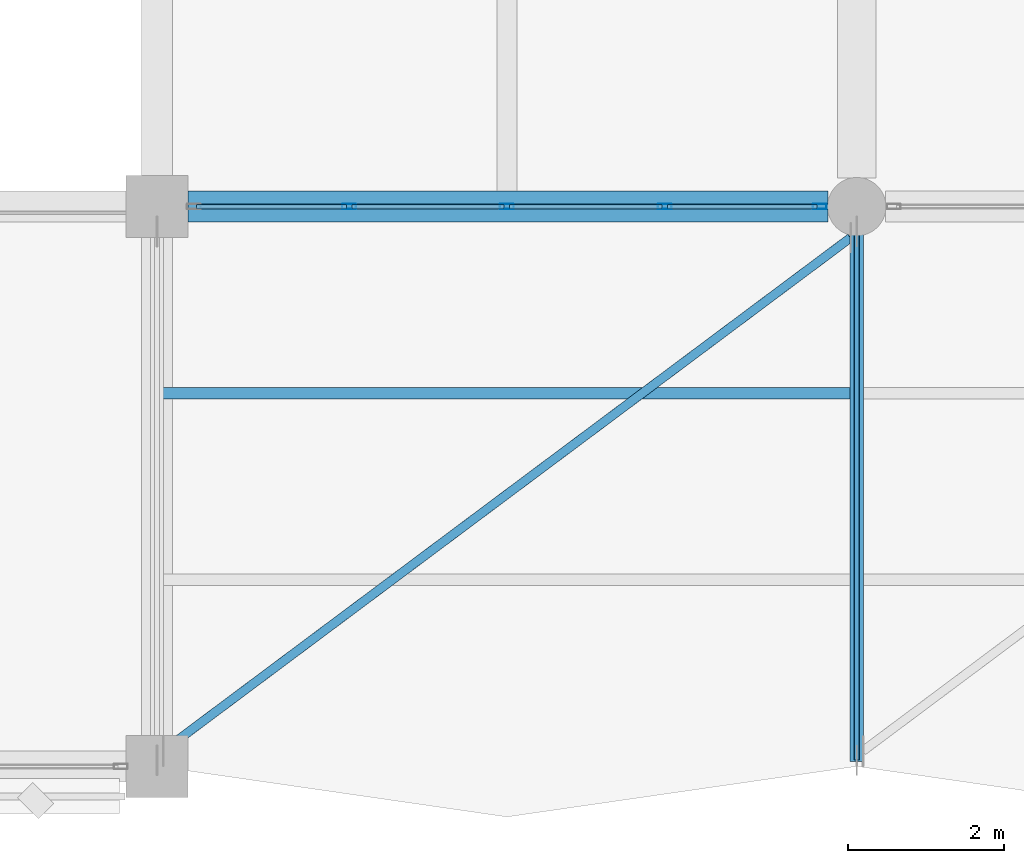
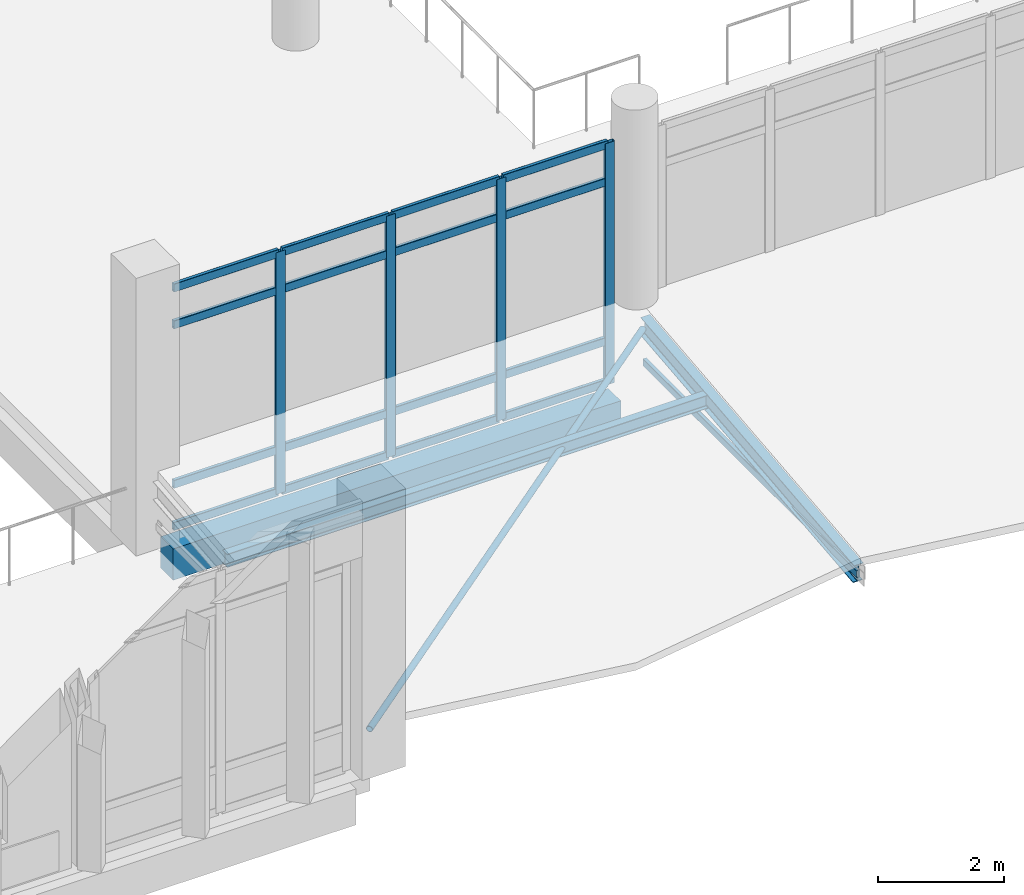
# One storey, part 34 of 180: 22 members, 3 beams, 1 element without a shape of its own.
"""IFC4 building model written with IfcOpenShell, lengths in metres."""

from ifc_helpers import new_model, si_unit, direction, frame, origin, origin_2d, place, context, subcontext, project, spatial, rectangle, hollow_rectangle, hollow_circle, i_section, extrude, material, material_profile, profile_set, type_object, element, aggregate, save


model = new_model("IFC4")

# Units and contexts
model_context = context("Model", 3, precision=1e-05, world=origin(), true_north=direction((0.0, 1.0)))
body_context = subcontext(model_context, "Body", "Model", "MODEL_VIEW")
ifc_project = project(units=[si_unit("LENGTHUNIT", "METRE"), si_unit("AREAUNIT", "SQUARE_METRE"), si_unit("VOLUMEUNIT", "CUBIC_METRE"), si_unit("PLANEANGLEUNIT", "RADIAN"), si_unit("MASSUNIT", "GRAM", prefix="KILO")], contexts=[model_context])

# Site, building, storey
site_placement = place(None, origin())
site = spatial("IfcSite", under=ifc_project, at=site_placement, CompositionType="ELEMENT")
building_placement = place(site_placement, origin())
building = spatial("IfcBuilding", under=site, at=building_placement, Name="Lusvemor Sports Hall", CompositionType="ELEMENT")
storey_placement = place(building_placement, frame((0.0, 0.0, 5.39990234375)))
storey = spatial("IfcBuildingStorey", under=building, at=storey_placement, Name="L01", CompositionType="ELEMENT", Elevation=5.39990234375)

# Beam
ifc_material_1 = material(Name="Steel S355", Category="steel")
ifc_material_profile_1 = material_profile(ifc_material_1, i_section(OverallWidth=0.1708984375, OverallDepth=0.35498046875, WebThickness=0.007080078125, FlangeThickness=0.01171875, FilletRadius=0.014892578125, at=origin_2d()), Name="W360x51.0")
ifc_profile_set_1 = profile_set([ifc_material_profile_1], Name="Steel S355")
beam_type_1 = type_object("IfcBeamType", Name="BEAM_ST_360", PredefinedType="BEAM", material=ifc_profile_set_1)
beam_1_placement = place(storey_placement, frame((84.60009765625, 0.080078125, 0.461181640625), z_axis=(0.0, 0.99461932884, 0.103597252368), x_axis=(-1.0, 0.0, 0.0)))
element("IfcBeam", 1, at=beam_1_placement, inside=storey, type_object=beam_type_1, Name="Boulevard Canopy Rafter 9", PredefinedType="BEAM", context=body_context, shape_type="SweptSolid", body=[
    extrude(i_section(OverallWidth=0.1708984375, OverallDepth=0.35498046875, WebThickness=0.007080078125, FlangeThickness=0.01171875, FilletRadius=0.014892578125, at=origin_2d()), origin(), (0.0, 0.0, 1.0), 6.836669921875),
])

# Member
ifc_material_2 = material(Name="Steel S355", Category="steel")
ifc_material_profile_2 = material_profile(ifc_material_2, hollow_circle(Radius=0.05712890625, WallThickness=0.00634765625, at=origin_2d()), Name="CHS114.3x6.3")
ifc_profile_set_2 = profile_set([ifc_material_profile_2], Name="Steel S355")
member_type_1 = type_object("IfcMemberType", Name="BRACE_CANOPY_114", PredefinedType="BRACE", material=ifc_profile_set_2)
member_1_placement = place(storey_placement, frame((75.679931640625, 0.199951171875, 0.4736328125), z_axis=(0.799750589505, 0.597101754721, 0.062197179156), x_axis=(-0.59826005728, 0.801302005403, 0.0)))
element("IfcMember", 2, at=member_1_placement, inside=storey, type_object=member_type_1, Name="Canopy Wind Brace 8", PredefinedType="BRACE", context=body_context, shape_type="SweptSolid", body=[
    extrude(hollow_circle(Radius=0.05712890625, WallThickness=0.00634765625, at=origin_2d()), origin(), (0.0, 0.0, 1.0), 11.053466796875),
])

# Curtain wall, members
ifc_material_3 = material(Name="Thermally broken bronze-anodized aluminium", Category="aluminium")
curtain_wall_type = type_object("IfcCurtainWallType", Name="CW_FOYER_A", PredefinedType="NOTDEFINED", material=ifc_material_3)
curtain_wall_placement = place(storey_placement, origin())
curtain_wall = element("IfcCurtainWall", 3, at=curtain_wall_placement, inside=storey, type_object=curtain_wall_type, Name="Curtain Wall CW-V4S-L01-0", PredefinedType="NOTDEFINED")
ifc_material_4 = material(Name="Thermally broken bronze-anodized aluminium", Category="aluminium")
ifc_material_profile_3 = material_profile(ifc_material_4, hollow_rectangle(XDim=0.070068359375, YDim=0.179931640625, WallThickness=0.0048828125, InnerFilletRadius=0.0048828125, OuterFilletRadius=0.010009765625, at=origin_2d()), Name="CWMUL180x70x5")
ifc_profile_set_3 = profile_set([ifc_material_profile_3], Name="Thermally broken bronze-anodized aluminium")
member_type_2 = type_object("IfcMemberType", Name="CW_MUL_A", PredefinedType="MULLION", material=ifc_profile_set_3)
member_2_placement = place(storey_placement, frame((84.125, 7.199951171875, 0.0), z_axis=(0.0, 0.0, 1.0), x_axis=(0.0, -1.0, 0.0)))
member_2 = element("IfcMember", 4, at=member_2_placement, type_object=member_type_2, Name="CW01 mullion 1", PredefinedType="MULLION", context=body_context, shape_type="SweptSolid", body=[
    extrude(hollow_rectangle(XDim=0.070068359375, YDim=0.179931640625, WallThickness=0.0048828125, InnerFilletRadius=0.0048828125, OuterFilletRadius=0.010009765625, at=origin_2d()), origin(), (0.0, 0.0, 1.0), 4.7001953125),
])
member_3_placement = place(storey_placement, frame((82.1298828125, 7.199951171875, 0.0), z_axis=(0.0, 0.0, 1.0), x_axis=(0.0, -1.0, 0.0)))
member_3 = element("IfcMember", 5, at=member_3_placement, type_object=member_type_2, Name="CW01 mullion 2", PredefinedType="MULLION", context=body_context, shape_type="SweptSolid", body=[
    extrude(hollow_rectangle(XDim=0.070068359375, YDim=0.179931640625, WallThickness=0.0048828125, InnerFilletRadius=0.0048828125, OuterFilletRadius=0.010009765625, at=origin_2d()), origin(), (0.0, 0.0, 1.0), 4.7001953125),
])
member_4_placement = place(storey_placement, frame((80.10009765625, 7.199951171875, 0.0), z_axis=(0.0, 0.0, 1.0), x_axis=(0.0, -1.0, 0.0)))
member_4 = element("IfcMember", 6, at=member_4_placement, type_object=member_type_2, Name="CW01 mullion 3", PredefinedType="MULLION", context=body_context, shape_type="SweptSolid", body=[
    extrude(hollow_rectangle(XDim=0.070068359375, YDim=0.179931640625, WallThickness=0.0048828125, InnerFilletRadius=0.0048828125, OuterFilletRadius=0.010009765625, at=origin_2d()), origin(), (0.0, 0.0, 1.0), 4.7001953125),
])
member_5_placement = place(storey_placement, frame((78.070068359375, 7.199951171875, 0.0), z_axis=(0.0, 0.0, 1.0), x_axis=(0.0, -1.0, 0.0)))
member_5 = element("IfcMember", 7, at=member_5_placement, type_object=member_type_2, Name="CW01 mullion 4", PredefinedType="MULLION", context=body_context, shape_type="SweptSolid", body=[
    extrude(hollow_rectangle(XDim=0.070068359375, YDim=0.179931640625, WallThickness=0.0048828125, InnerFilletRadius=0.0048828125, OuterFilletRadius=0.010009765625, at=origin_2d()), origin(), (0.0, 0.0, 1.0), 4.7001953125),
])
ifc_material_5 = material(Name="Thermally broken bronze-anodized aluminium", Category="aluminium")
ifc_material_profile_4 = material_profile(ifc_material_5, hollow_rectangle(XDim=0.06494140625, YDim=0.159912109375, WallThickness=0.00390625, InnerFilletRadius=0.00390625, OuterFilletRadius=0.008056640625, at=origin_2d()), Name="CWTRN160x65x4")
ifc_profile_set_4 = profile_set([ifc_material_profile_4], Name="Thermally broken bronze-anodized aluminium")
member_type_3 = type_object("IfcMemberType", Name="CW_TRN_A", PredefinedType="USERDEFINED", material=ifc_profile_set_4)
member_6_placement = place(storey_placement, frame((84.090087890625, 7.199951171875, 0.03271484375), z_axis=(-1.0, 0.0, 0.0), x_axis=(0.0, -1.0, 0.0)))
member_6 = element("IfcMember", 8, at=member_6_placement, type_object=member_type_3, Name="CW01 transom 1.1", ObjectType="TRANSOM", PredefinedType="USERDEFINED", context=body_context, shape_type="SweptSolid", body=[
    extrude(hollow_rectangle(XDim=0.06494140625, YDim=0.159912109375, WallThickness=0.00390625, InnerFilletRadius=0.00390625, OuterFilletRadius=0.008056640625, at=origin_2d()), origin(), (0.0, 0.0, 1.0), 1.925048828125),
])
member_7_placement = place(storey_placement, frame((84.090087890625, 7.199951171875, 0.85009765625), z_axis=(-1.0, 0.0, 0.0), x_axis=(0.0, -1.0, 0.0)))
member_7 = element("IfcMember", 9, at=member_7_placement, type_object=member_type_3, Name="CW01 transom 1.2", ObjectType="TRANSOM", PredefinedType="USERDEFINED", context=body_context, shape_type="SweptSolid", body=[
    extrude(hollow_rectangle(XDim=0.06494140625, YDim=0.159912109375, WallThickness=0.00390625, InnerFilletRadius=0.00390625, OuterFilletRadius=0.008056640625, at=origin_2d()), origin(), (0.0, 0.0, 1.0), 1.925048828125),
])
member_8_placement = place(storey_placement, frame((84.090087890625, 7.199951171875, 3.9501953125), z_axis=(-1.0, 0.0, 0.0), x_axis=(0.0, -1.0, 0.0)))
member_8 = element("IfcMember", 10, at=member_8_placement, type_object=member_type_3, Name="CW01 transom 1.3", ObjectType="TRANSOM", PredefinedType="USERDEFINED", context=body_context, shape_type="SweptSolid", body=[
    extrude(hollow_rectangle(XDim=0.06494140625, YDim=0.159912109375, WallThickness=0.00390625, InnerFilletRadius=0.00390625, OuterFilletRadius=0.008056640625, at=origin_2d()), origin(), (0.0, 0.0, 1.0), 1.925048828125),
])
member_9_placement = place(storey_placement, frame((84.090087890625, 7.199951171875, 4.66748046875), z_axis=(-1.0, 0.0, 0.0), x_axis=(0.0, -1.0, 0.0)))
member_9 = element("IfcMember", 11, at=member_9_placement, type_object=member_type_3, Name="CW01 transom 1.4", ObjectType="TRANSOM", PredefinedType="USERDEFINED", context=body_context, shape_type="SweptSolid", body=[
    extrude(hollow_rectangle(XDim=0.06494140625, YDim=0.159912109375, WallThickness=0.00390625, InnerFilletRadius=0.00390625, OuterFilletRadius=0.008056640625, at=origin_2d()), origin(), (0.0, 0.0, 1.0), 1.925048828125),
])
member_10_placement = place(storey_placement, frame((82.094970703125, 7.199951171875, 0.03271484375), z_axis=(-1.0, 0.0, 0.0), x_axis=(0.0, -1.0, 0.0)))
member_10 = element("IfcMember", 12, at=member_10_placement, type_object=member_type_3, Name="CW01 transom 2.1", ObjectType="TRANSOM", PredefinedType="USERDEFINED", context=body_context, shape_type="SweptSolid", body=[
    extrude(hollow_rectangle(XDim=0.06494140625, YDim=0.159912109375, WallThickness=0.00390625, InnerFilletRadius=0.00390625, OuterFilletRadius=0.008056640625, at=origin_2d()), origin(), (0.0, 0.0, 1.0), 1.9599609375),
])
member_11_placement = place(storey_placement, frame((82.094970703125, 7.199951171875, 0.85009765625), z_axis=(-1.0, 0.0, 0.0), x_axis=(0.0, -1.0, 0.0)))
member_11 = element("IfcMember", 13, at=member_11_placement, type_object=member_type_3, Name="CW01 transom 2.2", ObjectType="TRANSOM", PredefinedType="USERDEFINED", context=body_context, shape_type="SweptSolid", body=[
    extrude(hollow_rectangle(XDim=0.06494140625, YDim=0.159912109375, WallThickness=0.00390625, InnerFilletRadius=0.00390625, OuterFilletRadius=0.008056640625, at=origin_2d()), origin(), (0.0, 0.0, 1.0), 1.9599609375),
])
member_12_placement = place(storey_placement, frame((82.094970703125, 7.199951171875, 3.9501953125), z_axis=(-1.0, 0.0, 0.0), x_axis=(0.0, -1.0, 0.0)))
member_12 = element("IfcMember", 14, at=member_12_placement, type_object=member_type_3, Name="CW01 transom 2.3", ObjectType="TRANSOM", PredefinedType="USERDEFINED", context=body_context, shape_type="SweptSolid", body=[
    extrude(hollow_rectangle(XDim=0.06494140625, YDim=0.159912109375, WallThickness=0.00390625, InnerFilletRadius=0.00390625, OuterFilletRadius=0.008056640625, at=origin_2d()), origin(), (0.0, 0.0, 1.0), 1.9599609375),
])
member_13_placement = place(storey_placement, frame((82.094970703125, 7.199951171875, 4.66748046875), z_axis=(-1.0, 0.0, 0.0), x_axis=(0.0, -1.0, 0.0)))
member_13 = element("IfcMember", 15, at=member_13_placement, type_object=member_type_3, Name="CW01 transom 2.4", ObjectType="TRANSOM", PredefinedType="USERDEFINED", context=body_context, shape_type="SweptSolid", body=[
    extrude(hollow_rectangle(XDim=0.06494140625, YDim=0.159912109375, WallThickness=0.00390625, InnerFilletRadius=0.00390625, OuterFilletRadius=0.008056640625, at=origin_2d()), origin(), (0.0, 0.0, 1.0), 1.9599609375),
])
member_14_placement = place(storey_placement, frame((80.06494140625, 7.199951171875, 0.03271484375), z_axis=(-1.0, 0.0, 0.0), x_axis=(0.0, -1.0, 0.0)))
member_14 = element("IfcMember", 16, at=member_14_placement, type_object=member_type_3, Name="CW01 transom 3.1", ObjectType="TRANSOM", PredefinedType="USERDEFINED", context=body_context, shape_type="SweptSolid", body=[
    extrude(hollow_rectangle(XDim=0.06494140625, YDim=0.159912109375, WallThickness=0.00390625, InnerFilletRadius=0.00390625, OuterFilletRadius=0.008056640625, at=origin_2d()), origin(), (0.0, 0.0, 1.0), 1.9599609375),
])
member_15_placement = place(storey_placement, frame((80.06494140625, 7.199951171875, 0.85009765625), z_axis=(-1.0, 0.0, 0.0), x_axis=(0.0, -1.0, 0.0)))
member_15 = element("IfcMember", 17, at=member_15_placement, type_object=member_type_3, Name="CW01 transom 3.2", ObjectType="TRANSOM", PredefinedType="USERDEFINED", context=body_context, shape_type="SweptSolid", body=[
    extrude(hollow_rectangle(XDim=0.06494140625, YDim=0.159912109375, WallThickness=0.00390625, InnerFilletRadius=0.00390625, OuterFilletRadius=0.008056640625, at=origin_2d()), origin(), (0.0, 0.0, 1.0), 1.9599609375),
])
member_16_placement = place(storey_placement, frame((80.06494140625, 7.199951171875, 3.9501953125), z_axis=(-1.0, 0.0, 0.0), x_axis=(0.0, -1.0, 0.0)))
member_16 = element("IfcMember", 18, at=member_16_placement, type_object=member_type_3, Name="CW01 transom 3.3", ObjectType="TRANSOM", PredefinedType="USERDEFINED", context=body_context, shape_type="SweptSolid", body=[
    extrude(hollow_rectangle(XDim=0.06494140625, YDim=0.159912109375, WallThickness=0.00390625, InnerFilletRadius=0.00390625, OuterFilletRadius=0.008056640625, at=origin_2d()), origin(), (0.0, 0.0, 1.0), 1.9599609375),
])
member_17_placement = place(storey_placement, frame((80.06494140625, 7.199951171875, 4.66748046875), z_axis=(-1.0, 0.0, 0.0), x_axis=(0.0, -1.0, 0.0)))
member_17 = element("IfcMember", 19, at=member_17_placement, type_object=member_type_3, Name="CW01 transom 3.4", ObjectType="TRANSOM", PredefinedType="USERDEFINED", context=body_context, shape_type="SweptSolid", body=[
    extrude(hollow_rectangle(XDim=0.06494140625, YDim=0.159912109375, WallThickness=0.00390625, InnerFilletRadius=0.00390625, OuterFilletRadius=0.008056640625, at=origin_2d()), origin(), (0.0, 0.0, 1.0), 1.9599609375),
])
member_18_placement = place(storey_placement, frame((78.034912109375, 7.199951171875, 0.03271484375), z_axis=(-1.0, 0.0, 0.0), x_axis=(0.0, -1.0, 0.0)))
member_18 = element("IfcMember", 20, at=member_18_placement, type_object=member_type_3, Name="CW01 transom 4.1", ObjectType="TRANSOM", PredefinedType="USERDEFINED", context=body_context, shape_type="SweptSolid", body=[
    extrude(hollow_rectangle(XDim=0.06494140625, YDim=0.159912109375, WallThickness=0.00390625, InnerFilletRadius=0.00390625, OuterFilletRadius=0.008056640625, at=origin_2d()), origin(), (0.0, 0.0, 1.0), 1.9248046875),
])
member_19_placement = place(storey_placement, frame((78.034912109375, 7.199951171875, 0.85009765625), z_axis=(-1.0, 0.0, 0.0), x_axis=(0.0, -1.0, 0.0)))
member_19 = element("IfcMember", 21, at=member_19_placement, type_object=member_type_3, Name="CW01 transom 4.2", ObjectType="TRANSOM", PredefinedType="USERDEFINED", context=body_context, shape_type="SweptSolid", body=[
    extrude(hollow_rectangle(XDim=0.06494140625, YDim=0.159912109375, WallThickness=0.00390625, InnerFilletRadius=0.00390625, OuterFilletRadius=0.008056640625, at=origin_2d()), origin(), (0.0, 0.0, 1.0), 1.9248046875),
])
member_20_placement = place(storey_placement, frame((78.034912109375, 7.199951171875, 3.9501953125), z_axis=(-1.0, 0.0, 0.0), x_axis=(0.0, -1.0, 0.0)))
member_20 = element("IfcMember", 22, at=member_20_placement, type_object=member_type_3, Name="CW01 transom 4.3", ObjectType="TRANSOM", PredefinedType="USERDEFINED", context=body_context, shape_type="SweptSolid", body=[
    extrude(hollow_rectangle(XDim=0.06494140625, YDim=0.159912109375, WallThickness=0.00390625, InnerFilletRadius=0.00390625, OuterFilletRadius=0.008056640625, at=origin_2d()), origin(), (0.0, 0.0, 1.0), 1.9248046875),
])
member_21_placement = place(storey_placement, frame((78.034912109375, 7.199951171875, 4.66748046875), z_axis=(-1.0, 0.0, 0.0), x_axis=(0.0, -1.0, 0.0)))
member_21 = element("IfcMember", 23, at=member_21_placement, type_object=member_type_3, Name="CW01 transom 4.4", ObjectType="TRANSOM", PredefinedType="USERDEFINED", context=body_context, shape_type="SweptSolid", body=[
    extrude(hollow_rectangle(XDim=0.06494140625, YDim=0.159912109375, WallThickness=0.00390625, InnerFilletRadius=0.00390625, OuterFilletRadius=0.008056640625, at=origin_2d()), origin(), (0.0, 0.0, 1.0), 1.9248046875),
])
aggregate(curtain_wall, [member_2, member_3, member_4, member_5, member_6, member_7, member_8, member_9, member_10, member_11, member_12, member_13, member_14, member_15, member_16, member_17, member_18, member_19, member_20, member_21])

# Beams
ifc_material_6 = material(Name="Steel S355", Category="steel")
ifc_material_profile_5 = material_profile(ifc_material_6, i_section(OverallWidth=0.14599609375, OverallDepth=0.258056640625, WebThickness=0.006103515625, FlangeThickness=0.009033203125, FilletRadius=0.012939453125, at=origin_2d()), Name="W250x32.7")
ifc_profile_set_5 = profile_set([ifc_material_profile_5], Name="Steel S355")
beam_type_2 = type_object("IfcBeamType", Name="JOIST_CANOPY", PredefinedType="JOIST", material=ifc_profile_set_5)
beam_2_placement = place(storey_placement, frame((75.679931640625, 4.800048828125, 0.99658203125), z_axis=(1.0, 0.0, 0.0), x_axis=(0.0, 1.0, 0.0)))
element("IfcBeam", 24, at=beam_2_placement, inside=storey, type_object=beam_type_2, Name="Canopy Purlin Joist 8-2", PredefinedType="JOIST", context=body_context, shape_type="SweptSolid", body=[
    extrude(i_section(OverallWidth=0.14599609375, OverallDepth=0.258056640625, WebThickness=0.006103515625, FlangeThickness=0.009033203125, FilletRadius=0.012939453125, at=origin_2d()), origin(), (0.0, 0.0, 1.0), 8.840087890625),
])
ifc_material_7 = material(Name="Concrete C40/50", Category="concrete")
ifc_material_profile_6 = material_profile(ifc_material_7, rectangle(XDim=0.39990234375, YDim=0.610107421875, at=origin_2d()), Name="RC400x610")
ifc_profile_set_6 = profile_set([ifc_material_profile_6], Name="Concrete C40/50")
beam_type_3 = type_object("IfcBeamType", Name="SPAND_EXT_650", PredefinedType="SPANDREL", material=ifc_profile_set_6)
beam_3_placement = place(storey_placement, frame((75.99609375, 7.199951171875, -0.56494140625), z_axis=(1.0, 0.0, 0.0), x_axis=(0.0, 1.0, 0.0)))
element("IfcBeam", 25, at=beam_3_placement, inside=storey, type_object=beam_type_3, Name="Beam L01 B:8-9", PredefinedType="SPANDREL", context=body_context, shape_type="SweptSolid", body=[
    extrude(rectangle(XDim=0.39990234375, YDim=0.610107421875, at=origin_2d()), origin(), (0.0, 0.0, 1.0), 8.23291015625),
])

# Member
ifc_material_8 = material(Name="Steel S355", Category="steel")
ifc_material_profile_7 = material_profile(ifc_material_8, hollow_rectangle(XDim=0.070068359375, YDim=0.139892578125, WallThickness=0.0048828125, InnerFilletRadius=0.0048828125, OuterFilletRadius=0.010009765625, at=origin_2d()), Name="RHS140x70x5")
ifc_profile_set_7 = profile_set([ifc_material_profile_7], Name="Steel S355")
member_type_4 = type_object("IfcMemberType", Name="STRUT_TIE_140", PredefinedType="STRUT", material=ifc_profile_set_7)
member_22_placement = place(storey_placement, frame((84.60009765625, 0.080078125, 0.440185546875), z_axis=(0.0, 1.0, 0.0), x_axis=(-1.0, 0.0, 0.0)))
element("IfcMember", 26, at=member_22_placement, inside=storey, type_object=member_type_4, Name="Canopy Tie Rod 9", PredefinedType="STRUT", context=body_context, shape_type="SweptSolid", body=[
    extrude(hollow_rectangle(XDim=0.070068359375, YDim=0.139892578125, WallThickness=0.0048828125, InnerFilletRadius=0.0048828125, OuterFilletRadius=0.010009765625, at=origin_2d()), origin(), (0.0, 0.0, 1.0), 6.7998046875),
])

save(model, "model.ifc")
